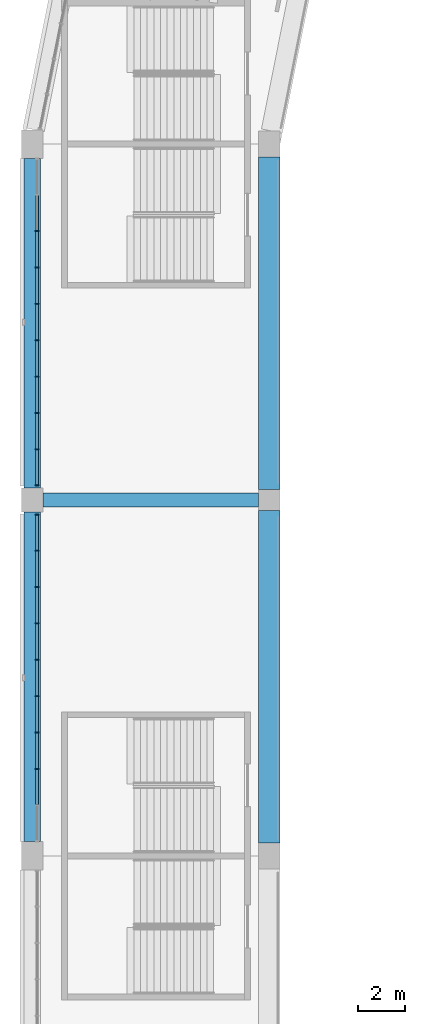
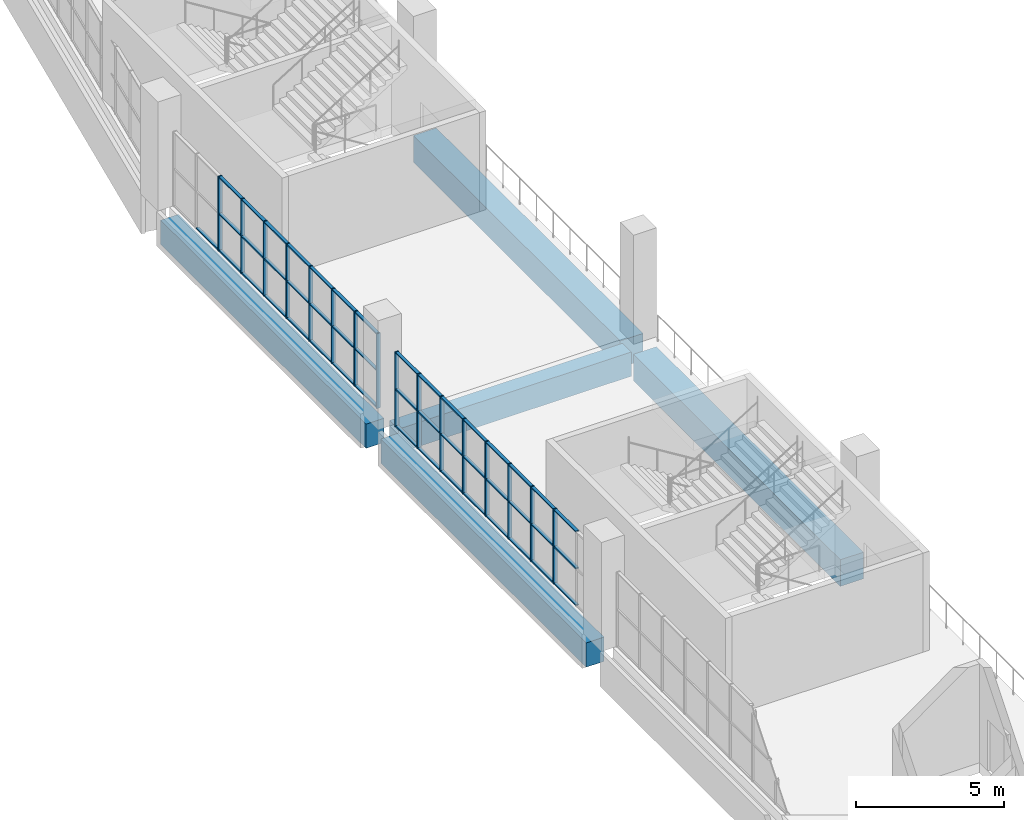
# One storey, part 27 of 177: 62 members, 5 beams, 2 elements without a shape of their own.
"""IFC4 building model written with IfcOpenShell, lengths in metres."""

from ifc_helpers import new_model, si_unit, direction, frame, origin, origin_2d, place, context, subcontext, project, spatial, rectangle, extrude, material, material_profile, profile_set, type_object, element, aggregate, save


model = new_model("IFC4")

# Units and contexts
model_context = context("Model", 3, precision=1e-05, world=origin(), true_north=direction((0.0, 1.0)))
body_context = subcontext(model_context, "Body", "Model", "MODEL_VIEW")
ifc_project = project(units=[si_unit("LENGTHUNIT", "METRE"), si_unit("AREAUNIT", "SQUARE_METRE"), si_unit("VOLUMEUNIT", "CUBIC_METRE"), si_unit("PLANEANGLEUNIT", "RADIAN"), si_unit("MASSUNIT", "GRAM", prefix="KILO")], contexts=[model_context])

# Site, building, storey
site_placement = place(None, origin())
site = spatial("IfcSite", under=ifc_project, at=site_placement, CompositionType="ELEMENT")
building_placement = place(site_placement, origin())
building = spatial("IfcBuilding", under=site, at=building_placement, Name="Ogive Plaza Stadium", CompositionType="ELEMENT")
storey_placement = place(building_placement, frame((0.0, 0.0, 18.0)))
storey = spatial("IfcBuildingStorey", under=building, at=storey_placement, Name="L04", CompositionType="ELEMENT", Elevation=18.0)

# Curtain wall, members
ifc_material_1 = material(Name="Bronze-anodised aluminium with laminated glass", Category="aluminium")
curtain_wall_type = type_object("IfcCurtainWallType", Name="Lancet curtain wall", PredefinedType="NOTDEFINED", material=ifc_material_1)
curtain_wall_1_placement = place(storey_placement, origin())
curtain_wall_1 = element("IfcCurtainWall", 1, at=curtain_wall_1_placement, inside=storey, type_object=curtain_wall_type, Name="CURTAIN WALL B26 L04", PredefinedType="NOTDEFINED")
ifc_material_2 = material(Name="Bronze-anodised aluminium", Category="aluminium")
ifc_material_profile_1 = material_profile(ifc_material_2, rectangle(XDim=0.14990234375, YDim=0.050048828125, at=origin_2d()), Name="AL 150x50")
ifc_profile_set_1 = profile_set([ifc_material_profile_1], Name="Bronze-anodised aluminium")
member_type_1 = type_object("IfcMemberType", Name="Curtain wall mullion 50x150", PredefinedType="MULLION", material=ifc_profile_set_1)
member_1_placement = place(storey_placement, frame((-83.800048828125, 26.166748046875, 0.0), z_axis=(0.0, 0.0, 1.0), x_axis=(-1.0, 0.0, 0.0)))
member_1 = element("IfcMember", 2, at=member_1_placement, type_object=member_type_1, Name="CW-B26-L04 mullion 3", PredefinedType="MULLION", context=body_context, shape_type="SweptSolid", body=[
    extrude(rectangle(XDim=0.14990234375, YDim=0.050048828125, at=origin_2d()), origin(), (0.0, 0.0, 1.0), 3.090087890625),
])
member_2_placement = place(storey_placement, frame((-83.800048828125, 27.699951171875, 0.0), z_axis=(0.0, 0.0, 1.0), x_axis=(-1.0, 0.0, 0.0)))
member_2 = element("IfcMember", 3, at=member_2_placement, type_object=member_type_1, Name="CW-B26-L04 mullion 4", PredefinedType="MULLION", context=body_context, shape_type="SweptSolid", body=[
    extrude(rectangle(XDim=0.14990234375, YDim=0.050048828125, at=origin_2d()), origin(), (0.0, 0.0, 1.0), 3.090087890625),
])
member_3_placement = place(storey_placement, frame((-83.800048828125, 29.2333984375, 0.0), z_axis=(0.0, 0.0, 1.0), x_axis=(-1.0, 0.0, 0.0)))
member_3 = element("IfcMember", 4, at=member_3_placement, type_object=member_type_1, Name="CW-B26-L04 mullion 5", PredefinedType="MULLION", context=body_context, shape_type="SweptSolid", body=[
    extrude(rectangle(XDim=0.14990234375, YDim=0.050048828125, at=origin_2d()), origin(), (0.0, 0.0, 1.0), 3.090087890625),
])
member_4_placement = place(storey_placement, frame((-83.800048828125, 30.7666015625, 0.0), z_axis=(0.0, 0.0, 1.0), x_axis=(-1.0, 0.0, 0.0)))
member_4 = element("IfcMember", 5, at=member_4_placement, type_object=member_type_1, Name="CW-B26-L04 mullion 6", PredefinedType="MULLION", context=body_context, shape_type="SweptSolid", body=[
    extrude(rectangle(XDim=0.14990234375, YDim=0.050048828125, at=origin_2d()), origin(), (0.0, 0.0, 1.0), 3.090087890625),
])
member_5_placement = place(storey_placement, frame((-83.800048828125, 32.300048828125, 0.0), z_axis=(0.0, 0.0, 1.0), x_axis=(-1.0, 0.0, 0.0)))
member_5 = element("IfcMember", 6, at=member_5_placement, type_object=member_type_1, Name="CW-B26-L04 mullion 7", PredefinedType="MULLION", context=body_context, shape_type="SweptSolid", body=[
    extrude(rectangle(XDim=0.14990234375, YDim=0.050048828125, at=origin_2d()), origin(), (0.0, 0.0, 1.0), 3.090087890625),
])
member_6_placement = place(storey_placement, frame((-83.800048828125, 33.833251953125, 0.0), z_axis=(0.0, 0.0, 1.0), x_axis=(-1.0, 0.0, 0.0)))
member_6 = element("IfcMember", 7, at=member_6_placement, type_object=member_type_1, Name="CW-B26-L04 mullion 8", PredefinedType="MULLION", context=body_context, shape_type="SweptSolid", body=[
    extrude(rectangle(XDim=0.14990234375, YDim=0.050048828125, at=origin_2d()), origin(), (0.0, 0.0, 1.0), 3.090087890625),
])
member_7_placement = place(storey_placement, frame((-83.800048828125, 35.36669921875, 0.0), z_axis=(0.0, 0.0, 1.0), x_axis=(-1.0, 0.0, 0.0)))
member_7 = element("IfcMember", 8, at=member_7_placement, type_object=member_type_1, Name="CW-B26-L04 mullion 9", PredefinedType="MULLION", context=body_context, shape_type="SweptSolid", body=[
    extrude(rectangle(XDim=0.14990234375, YDim=0.050048828125, at=origin_2d()), origin(), (0.0, 0.0, 1.0), 3.090087890625),
])
member_8_placement = place(storey_placement, frame((-83.800048828125, 36.875, 0.0), z_axis=(0.0, 0.0, 1.0), x_axis=(-1.0, 0.0, 0.0)))
member_8 = element("IfcMember", 9, at=member_8_placement, type_object=member_type_1, Name="CW-B26-L04 mullion 10", PredefinedType="MULLION", context=body_context, shape_type="SweptSolid", body=[
    extrude(rectangle(XDim=0.14990234375, YDim=0.050048828125, at=origin_2d()), origin(), (0.0, 0.0, 1.0), 3.090087890625),
])

curtain_wall_2_placement = place(storey_placement, origin())
curtain_wall_2 = element("IfcCurtainWall", 10, at=curtain_wall_2_placement, inside=storey, type_object=curtain_wall_type, Name="CURTAIN WALL B27 L04", PredefinedType="NOTDEFINED")
member_9_placement = place(storey_placement, frame((-83.800048828125, 38.125, 0.0), z_axis=(0.0, 0.0, 1.0), x_axis=(-1.0, 0.0, 0.0)))
member_9 = element("IfcMember", 11, at=member_9_placement, type_object=member_type_1, Name="CW-B27-L04 mullion 1", PredefinedType="MULLION", context=body_context, shape_type="SweptSolid", body=[
    extrude(rectangle(XDim=0.14990234375, YDim=0.050048828125, at=origin_2d()), origin(), (0.0, 0.0, 1.0), 3.090087890625),
])
member_10_placement = place(storey_placement, frame((-83.800048828125, 39.63330078125, 0.0), z_axis=(0.0, 0.0, 1.0), x_axis=(-1.0, 0.0, 0.0)))
member_10 = element("IfcMember", 12, at=member_10_placement, type_object=member_type_1, Name="CW-B27-L04 mullion 2", PredefinedType="MULLION", context=body_context, shape_type="SweptSolid", body=[
    extrude(rectangle(XDim=0.14990234375, YDim=0.050048828125, at=origin_2d()), origin(), (0.0, 0.0, 1.0), 3.090087890625),
])
member_11_placement = place(storey_placement, frame((-83.800048828125, 41.166748046875, 0.0), z_axis=(0.0, 0.0, 1.0), x_axis=(-1.0, 0.0, 0.0)))
member_11 = element("IfcMember", 13, at=member_11_placement, type_object=member_type_1, Name="CW-B27-L04 mullion 3", PredefinedType="MULLION", context=body_context, shape_type="SweptSolid", body=[
    extrude(rectangle(XDim=0.14990234375, YDim=0.050048828125, at=origin_2d()), origin(), (0.0, 0.0, 1.0), 3.090087890625),
])
member_12_placement = place(storey_placement, frame((-83.800048828125, 42.699951171875, 0.0), z_axis=(0.0, 0.0, 1.0), x_axis=(-1.0, 0.0, 0.0)))
member_12 = element("IfcMember", 14, at=member_12_placement, type_object=member_type_1, Name="CW-B27-L04 mullion 4", PredefinedType="MULLION", context=body_context, shape_type="SweptSolid", body=[
    extrude(rectangle(XDim=0.14990234375, YDim=0.050048828125, at=origin_2d()), origin(), (0.0, 0.0, 1.0), 3.090087890625),
])
member_13_placement = place(storey_placement, frame((-83.800048828125, 44.2333984375, 0.0), z_axis=(0.0, 0.0, 1.0), x_axis=(-1.0, 0.0, 0.0)))
member_13 = element("IfcMember", 15, at=member_13_placement, type_object=member_type_1, Name="CW-B27-L04 mullion 5", PredefinedType="MULLION", context=body_context, shape_type="SweptSolid", body=[
    extrude(rectangle(XDim=0.14990234375, YDim=0.050048828125, at=origin_2d()), origin(), (0.0, 0.0, 1.0), 3.090087890625),
])
member_14_placement = place(storey_placement, frame((-83.800048828125, 45.7666015625, 0.0), z_axis=(0.0, 0.0, 1.0), x_axis=(-1.0, 0.0, 0.0)))
member_14 = element("IfcMember", 16, at=member_14_placement, type_object=member_type_1, Name="CW-B27-L04 mullion 6", PredefinedType="MULLION", context=body_context, shape_type="SweptSolid", body=[
    extrude(rectangle(XDim=0.14990234375, YDim=0.050048828125, at=origin_2d()), origin(), (0.0, 0.0, 1.0), 3.090087890625),
])
member_15_placement = place(storey_placement, frame((-83.800048828125, 47.300048828125, 0.0), z_axis=(0.0, 0.0, 1.0), x_axis=(-1.0, 0.0, 0.0)))
member_15 = element("IfcMember", 17, at=member_15_placement, type_object=member_type_1, Name="CW-B27-L04 mullion 7", PredefinedType="MULLION", context=body_context, shape_type="SweptSolid", body=[
    extrude(rectangle(XDim=0.14990234375, YDim=0.050048828125, at=origin_2d()), origin(), (0.0, 0.0, 1.0), 3.090087890625),
])
member_16_placement = place(storey_placement, frame((-83.800048828125, 48.833251953125, 0.0), z_axis=(0.0, 0.0, 1.0), x_axis=(-1.0, 0.0, 0.0)))
member_16 = element("IfcMember", 18, at=member_16_placement, type_object=member_type_1, Name="CW-B27-L04 mullion 8", PredefinedType="MULLION", context=body_context, shape_type="SweptSolid", body=[
    extrude(rectangle(XDim=0.14990234375, YDim=0.050048828125, at=origin_2d()), origin(), (0.0, 0.0, 1.0), 3.090087890625),
])

# Member
ifc_material_3 = material(Name="Bronze-anodised aluminium", Category="aluminium")
ifc_material_profile_2 = material_profile(ifc_material_3, rectangle(XDim=0.1201171875, YDim=0.050048828125, at=origin_2d()), Name="AL 120x50")
ifc_profile_set_2 = profile_set([ifc_material_profile_2], Name="Bronze-anodised aluminium")
member_type_2 = type_object("IfcMemberType", Name="Curtain wall transom 50x120", PredefinedType="USERDEFINED", material=ifc_profile_set_2)
member_17_placement = place(storey_placement, frame((-83.800048828125, 24.658447265625, 0.02490234375), z_axis=(0.0, 1.0, 0.0), x_axis=(-1.0, 0.0, 0.0)))
member_17 = element("IfcMember", 19, at=member_17_placement, type_object=member_type_2, Name="CW-B26-L04 transom 2.1", ObjectType="TRANSOM", PredefinedType="USERDEFINED", context=body_context, shape_type="SweptSolid", body=[
    extrude(rectangle(XDim=0.1201171875, YDim=0.050048828125, at=origin_2d()), origin(), (0.0, 0.0, 1.0), 1.483154296875),
])

member_18_placement = place(storey_placement, frame((-83.800048828125, 24.658447265625, 1.544921875), z_axis=(0.0, 1.0, 0.0), x_axis=(-1.0, 0.0, 0.0)))
member_18 = element("IfcMember", 20, at=member_18_placement, type_object=member_type_2, Name="CW-B26-L04 transom 2.2", ObjectType="TRANSOM", PredefinedType="USERDEFINED", context=body_context, shape_type="SweptSolid", body=[
    extrude(rectangle(XDim=0.1201171875, YDim=0.050048828125, at=origin_2d()), origin(), (0.0, 0.0, 1.0), 1.483154296875),
])

member_19_placement = place(storey_placement, frame((-83.800048828125, 24.658447265625, 3.06494140625), z_axis=(0.0, 1.0, 0.0), x_axis=(-1.0, 0.0, 0.0)))
member_19 = element("IfcMember", 21, at=member_19_placement, type_object=member_type_2, Name="CW-B26-L04 transom 2.3", ObjectType="TRANSOM", PredefinedType="USERDEFINED", context=body_context, shape_type="SweptSolid", body=[
    extrude(rectangle(XDim=0.1201171875, YDim=0.050048828125, at=origin_2d()), origin(), (0.0, 0.0, 1.0), 1.483154296875),
])

member_20_placement = place(storey_placement, frame((-83.800048828125, 26.191650390625, 0.02490234375), z_axis=(0.0, 1.0, 0.0), x_axis=(-1.0, 0.0, 0.0)))
member_20 = element("IfcMember", 22, at=member_20_placement, type_object=member_type_2, Name="CW-B26-L04 transom 3.1", ObjectType="TRANSOM", PredefinedType="USERDEFINED", context=body_context, shape_type="SweptSolid", body=[
    extrude(rectangle(XDim=0.1201171875, YDim=0.050048828125, at=origin_2d()), origin(), (0.0, 0.0, 1.0), 1.4833984375),
])

member_21_placement = place(storey_placement, frame((-83.800048828125, 26.191650390625, 1.544921875), z_axis=(0.0, 1.0, 0.0), x_axis=(-1.0, 0.0, 0.0)))
member_21 = element("IfcMember", 23, at=member_21_placement, type_object=member_type_2, Name="CW-B26-L04 transom 3.2", ObjectType="TRANSOM", PredefinedType="USERDEFINED", context=body_context, shape_type="SweptSolid", body=[
    extrude(rectangle(XDim=0.1201171875, YDim=0.050048828125, at=origin_2d()), origin(), (0.0, 0.0, 1.0), 1.4833984375),
])

member_22_placement = place(storey_placement, frame((-83.800048828125, 26.191650390625, 3.06494140625), z_axis=(0.0, 1.0, 0.0), x_axis=(-1.0, 0.0, 0.0)))
member_22 = element("IfcMember", 24, at=member_22_placement, type_object=member_type_2, Name="CW-B26-L04 transom 3.3", ObjectType="TRANSOM", PredefinedType="USERDEFINED", context=body_context, shape_type="SweptSolid", body=[
    extrude(rectangle(XDim=0.1201171875, YDim=0.050048828125, at=origin_2d()), origin(), (0.0, 0.0, 1.0), 1.4833984375),
])

member_23_placement = place(storey_placement, frame((-83.800048828125, 27.72509765625, 0.02490234375), z_axis=(0.0, 1.0, 0.0), x_axis=(-1.0, 0.0, 0.0)))
member_23 = element("IfcMember", 25, at=member_23_placement, type_object=member_type_2, Name="CW-B26-L04 transom 4.1", ObjectType="TRANSOM", PredefinedType="USERDEFINED", context=body_context, shape_type="SweptSolid", body=[
    extrude(rectangle(XDim=0.1201171875, YDim=0.050048828125, at=origin_2d()), origin(), (0.0, 0.0, 1.0), 1.483154296875),
])

member_24_placement = place(storey_placement, frame((-83.800048828125, 27.72509765625, 1.544921875), z_axis=(0.0, 1.0, 0.0), x_axis=(-1.0, 0.0, 0.0)))
member_24 = element("IfcMember", 26, at=member_24_placement, type_object=member_type_2, Name="CW-B26-L04 transom 4.2", ObjectType="TRANSOM", PredefinedType="USERDEFINED", context=body_context, shape_type="SweptSolid", body=[
    extrude(rectangle(XDim=0.1201171875, YDim=0.050048828125, at=origin_2d()), origin(), (0.0, 0.0, 1.0), 1.483154296875),
])

member_25_placement = place(storey_placement, frame((-83.800048828125, 27.72509765625, 3.06494140625), z_axis=(0.0, 1.0, 0.0), x_axis=(-1.0, 0.0, 0.0)))
member_25 = element("IfcMember", 27, at=member_25_placement, type_object=member_type_2, Name="CW-B26-L04 transom 4.3", ObjectType="TRANSOM", PredefinedType="USERDEFINED", context=body_context, shape_type="SweptSolid", body=[
    extrude(rectangle(XDim=0.1201171875, YDim=0.050048828125, at=origin_2d()), origin(), (0.0, 0.0, 1.0), 1.483154296875),
])

member_26_placement = place(storey_placement, frame((-83.800048828125, 29.25830078125, 0.02490234375), z_axis=(0.0, 1.0, 0.0), x_axis=(-1.0, 0.0, 0.0)))
member_26 = element("IfcMember", 28, at=member_26_placement, type_object=member_type_2, Name="CW-B26-L04 transom 5.1", ObjectType="TRANSOM", PredefinedType="USERDEFINED", context=body_context, shape_type="SweptSolid", body=[
    extrude(rectangle(XDim=0.1201171875, YDim=0.050048828125, at=origin_2d()), origin(), (0.0, 0.0, 1.0), 1.4833984375),
])

member_27_placement = place(storey_placement, frame((-83.800048828125, 29.25830078125, 1.544921875), z_axis=(0.0, 1.0, 0.0), x_axis=(-1.0, 0.0, 0.0)))
member_27 = element("IfcMember", 29, at=member_27_placement, type_object=member_type_2, Name="CW-B26-L04 transom 5.2", ObjectType="TRANSOM", PredefinedType="USERDEFINED", context=body_context, shape_type="SweptSolid", body=[
    extrude(rectangle(XDim=0.1201171875, YDim=0.050048828125, at=origin_2d()), origin(), (0.0, 0.0, 1.0), 1.4833984375),
])

member_28_placement = place(storey_placement, frame((-83.800048828125, 29.25830078125, 3.06494140625), z_axis=(0.0, 1.0, 0.0), x_axis=(-1.0, 0.0, 0.0)))
member_28 = element("IfcMember", 30, at=member_28_placement, type_object=member_type_2, Name="CW-B26-L04 transom 5.3", ObjectType="TRANSOM", PredefinedType="USERDEFINED", context=body_context, shape_type="SweptSolid", body=[
    extrude(rectangle(XDim=0.1201171875, YDim=0.050048828125, at=origin_2d()), origin(), (0.0, 0.0, 1.0), 1.4833984375),
])

member_29_placement = place(storey_placement, frame((-83.800048828125, 30.791748046875, 0.02490234375), z_axis=(0.0, 1.0, 0.0), x_axis=(-1.0, 0.0, 0.0)))
member_29 = element("IfcMember", 31, at=member_29_placement, type_object=member_type_2, Name="CW-B26-L04 transom 6.1", ObjectType="TRANSOM", PredefinedType="USERDEFINED", context=body_context, shape_type="SweptSolid", body=[
    extrude(rectangle(XDim=0.1201171875, YDim=0.050048828125, at=origin_2d()), origin(), (0.0, 0.0, 1.0), 1.483154296875),
])

member_30_placement = place(storey_placement, frame((-83.800048828125, 30.791748046875, 1.544921875), z_axis=(0.0, 1.0, 0.0), x_axis=(-1.0, 0.0, 0.0)))
member_30 = element("IfcMember", 32, at=member_30_placement, type_object=member_type_2, Name="CW-B26-L04 transom 6.2", ObjectType="TRANSOM", PredefinedType="USERDEFINED", context=body_context, shape_type="SweptSolid", body=[
    extrude(rectangle(XDim=0.1201171875, YDim=0.050048828125, at=origin_2d()), origin(), (0.0, 0.0, 1.0), 1.483154296875),
])

member_31_placement = place(storey_placement, frame((-83.800048828125, 30.791748046875, 3.06494140625), z_axis=(0.0, 1.0, 0.0), x_axis=(-1.0, 0.0, 0.0)))
member_31 = element("IfcMember", 33, at=member_31_placement, type_object=member_type_2, Name="CW-B26-L04 transom 6.3", ObjectType="TRANSOM", PredefinedType="USERDEFINED", context=body_context, shape_type="SweptSolid", body=[
    extrude(rectangle(XDim=0.1201171875, YDim=0.050048828125, at=origin_2d()), origin(), (0.0, 0.0, 1.0), 1.483154296875),
])

member_32_placement = place(storey_placement, frame((-83.800048828125, 32.324951171875, 0.02490234375), z_axis=(0.0, 1.0, 0.0), x_axis=(-1.0, 0.0, 0.0)))
member_32 = element("IfcMember", 34, at=member_32_placement, type_object=member_type_2, Name="CW-B26-L04 transom 7.1", ObjectType="TRANSOM", PredefinedType="USERDEFINED", context=body_context, shape_type="SweptSolid", body=[
    extrude(rectangle(XDim=0.1201171875, YDim=0.050048828125, at=origin_2d()), origin(), (0.0, 0.0, 1.0), 1.4833984375),
])

member_33_placement = place(storey_placement, frame((-83.800048828125, 32.324951171875, 1.544921875), z_axis=(0.0, 1.0, 0.0), x_axis=(-1.0, 0.0, 0.0)))
member_33 = element("IfcMember", 35, at=member_33_placement, type_object=member_type_2, Name="CW-B26-L04 transom 7.2", ObjectType="TRANSOM", PredefinedType="USERDEFINED", context=body_context, shape_type="SweptSolid", body=[
    extrude(rectangle(XDim=0.1201171875, YDim=0.050048828125, at=origin_2d()), origin(), (0.0, 0.0, 1.0), 1.4833984375),
])

member_34_placement = place(storey_placement, frame((-83.800048828125, 32.324951171875, 3.06494140625), z_axis=(0.0, 1.0, 0.0), x_axis=(-1.0, 0.0, 0.0)))
member_34 = element("IfcMember", 36, at=member_34_placement, type_object=member_type_2, Name="CW-B26-L04 transom 7.3", ObjectType="TRANSOM", PredefinedType="USERDEFINED", context=body_context, shape_type="SweptSolid", body=[
    extrude(rectangle(XDim=0.1201171875, YDim=0.050048828125, at=origin_2d()), origin(), (0.0, 0.0, 1.0), 1.4833984375),
])

member_35_placement = place(storey_placement, frame((-83.800048828125, 33.8583984375, 0.02490234375), z_axis=(0.0, 1.0, 0.0), x_axis=(-1.0, 0.0, 0.0)))
member_35 = element("IfcMember", 37, at=member_35_placement, type_object=member_type_2, Name="CW-B26-L04 transom 8.1", ObjectType="TRANSOM", PredefinedType="USERDEFINED", context=body_context, shape_type="SweptSolid", body=[
    extrude(rectangle(XDim=0.1201171875, YDim=0.050048828125, at=origin_2d()), origin(), (0.0, 0.0, 1.0), 1.483154296875),
])

member_36_placement = place(storey_placement, frame((-83.800048828125, 33.8583984375, 1.544921875), z_axis=(0.0, 1.0, 0.0), x_axis=(-1.0, 0.0, 0.0)))
member_36 = element("IfcMember", 38, at=member_36_placement, type_object=member_type_2, Name="CW-B26-L04 transom 8.2", ObjectType="TRANSOM", PredefinedType="USERDEFINED", context=body_context, shape_type="SweptSolid", body=[
    extrude(rectangle(XDim=0.1201171875, YDim=0.050048828125, at=origin_2d()), origin(), (0.0, 0.0, 1.0), 1.483154296875),
])

member_37_placement = place(storey_placement, frame((-83.800048828125, 33.8583984375, 3.06494140625), z_axis=(0.0, 1.0, 0.0), x_axis=(-1.0, 0.0, 0.0)))
member_37 = element("IfcMember", 39, at=member_37_placement, type_object=member_type_2, Name="CW-B26-L04 transom 8.3", ObjectType="TRANSOM", PredefinedType="USERDEFINED", context=body_context, shape_type="SweptSolid", body=[
    extrude(rectangle(XDim=0.1201171875, YDim=0.050048828125, at=origin_2d()), origin(), (0.0, 0.0, 1.0), 1.483154296875),
])

member_38_placement = place(storey_placement, frame((-83.800048828125, 35.3916015625, 0.02490234375), z_axis=(0.0, 1.0, 0.0), x_axis=(-1.0, 0.0, 0.0)))
member_38 = element("IfcMember", 40, at=member_38_placement, type_object=member_type_2, Name="CW-B26-L04 transom 9.1", ObjectType="TRANSOM", PredefinedType="USERDEFINED", context=body_context, shape_type="SweptSolid", body=[
    extrude(rectangle(XDim=0.1201171875, YDim=0.050048828125, at=origin_2d()), origin(), (0.0, 0.0, 1.0), 1.45849609375),
])

member_39_placement = place(storey_placement, frame((-83.800048828125, 35.3916015625, 1.544921875), z_axis=(0.0, 1.0, 0.0), x_axis=(-1.0, 0.0, 0.0)))
member_39 = element("IfcMember", 41, at=member_39_placement, type_object=member_type_2, Name="CW-B26-L04 transom 9.2", ObjectType="TRANSOM", PredefinedType="USERDEFINED", context=body_context, shape_type="SweptSolid", body=[
    extrude(rectangle(XDim=0.1201171875, YDim=0.050048828125, at=origin_2d()), origin(), (0.0, 0.0, 1.0), 1.45849609375),
])

member_40_placement = place(storey_placement, frame((-83.800048828125, 35.3916015625, 3.06494140625), z_axis=(0.0, 1.0, 0.0), x_axis=(-1.0, 0.0, 0.0)))
member_40 = element("IfcMember", 42, at=member_40_placement, type_object=member_type_2, Name="CW-B26-L04 transom 9.3", ObjectType="TRANSOM", PredefinedType="USERDEFINED", context=body_context, shape_type="SweptSolid", body=[
    extrude(rectangle(XDim=0.1201171875, YDim=0.050048828125, at=origin_2d()), origin(), (0.0, 0.0, 1.0), 1.45849609375),
])

aggregate(curtain_wall_1, [member_1, member_2, member_3, member_4, member_5, member_6, member_7, member_8, member_17, member_18, member_19, member_20, member_21, member_22, member_23, member_24, member_25, member_26, member_27, member_28, member_29, member_30, member_31, member_32, member_33, member_34, member_35, member_36, member_37, member_38, member_39, member_40])

member_41_placement = place(storey_placement, frame((-83.800048828125, 38.14990234375, 0.02490234375), z_axis=(0.0, 1.0, 0.0), x_axis=(-1.0, 0.0, 0.0)))
member_41 = element("IfcMember", 43, at=member_41_placement, type_object=member_type_2, Name="CW-B27-L04 transom 1.1", ObjectType="TRANSOM", PredefinedType="USERDEFINED", context=body_context, shape_type="SweptSolid", body=[
    extrude(rectangle(XDim=0.1201171875, YDim=0.050048828125, at=origin_2d()), origin(), (0.0, 0.0, 1.0), 1.45849609375),
])

member_42_placement = place(storey_placement, frame((-83.800048828125, 38.14990234375, 1.544921875), z_axis=(0.0, 1.0, 0.0), x_axis=(-1.0, 0.0, 0.0)))
member_42 = element("IfcMember", 44, at=member_42_placement, type_object=member_type_2, Name="CW-B27-L04 transom 1.2", ObjectType="TRANSOM", PredefinedType="USERDEFINED", context=body_context, shape_type="SweptSolid", body=[
    extrude(rectangle(XDim=0.1201171875, YDim=0.050048828125, at=origin_2d()), origin(), (0.0, 0.0, 1.0), 1.45849609375),
])

member_43_placement = place(storey_placement, frame((-83.800048828125, 38.14990234375, 3.06494140625), z_axis=(0.0, 1.0, 0.0), x_axis=(-1.0, 0.0, 0.0)))
member_43 = element("IfcMember", 45, at=member_43_placement, type_object=member_type_2, Name="CW-B27-L04 transom 1.3", ObjectType="TRANSOM", PredefinedType="USERDEFINED", context=body_context, shape_type="SweptSolid", body=[
    extrude(rectangle(XDim=0.1201171875, YDim=0.050048828125, at=origin_2d()), origin(), (0.0, 0.0, 1.0), 1.45849609375),
])

member_44_placement = place(storey_placement, frame((-83.800048828125, 39.658447265625, 0.02490234375), z_axis=(0.0, 1.0, 0.0), x_axis=(-1.0, 0.0, 0.0)))
member_44 = element("IfcMember", 46, at=member_44_placement, type_object=member_type_2, Name="CW-B27-L04 transom 2.1", ObjectType="TRANSOM", PredefinedType="USERDEFINED", context=body_context, shape_type="SweptSolid", body=[
    extrude(rectangle(XDim=0.1201171875, YDim=0.050048828125, at=origin_2d()), origin(), (0.0, 0.0, 1.0), 1.483154296875),
])

member_45_placement = place(storey_placement, frame((-83.800048828125, 39.658447265625, 1.544921875), z_axis=(0.0, 1.0, 0.0), x_axis=(-1.0, 0.0, 0.0)))
member_45 = element("IfcMember", 47, at=member_45_placement, type_object=member_type_2, Name="CW-B27-L04 transom 2.2", ObjectType="TRANSOM", PredefinedType="USERDEFINED", context=body_context, shape_type="SweptSolid", body=[
    extrude(rectangle(XDim=0.1201171875, YDim=0.050048828125, at=origin_2d()), origin(), (0.0, 0.0, 1.0), 1.483154296875),
])

member_46_placement = place(storey_placement, frame((-83.800048828125, 39.658447265625, 3.06494140625), z_axis=(0.0, 1.0, 0.0), x_axis=(-1.0, 0.0, 0.0)))
member_46 = element("IfcMember", 48, at=member_46_placement, type_object=member_type_2, Name="CW-B27-L04 transom 2.3", ObjectType="TRANSOM", PredefinedType="USERDEFINED", context=body_context, shape_type="SweptSolid", body=[
    extrude(rectangle(XDim=0.1201171875, YDim=0.050048828125, at=origin_2d()), origin(), (0.0, 0.0, 1.0), 1.483154296875),
])

member_47_placement = place(storey_placement, frame((-83.800048828125, 41.191650390625, 0.02490234375), z_axis=(0.0, 1.0, 0.0), x_axis=(-1.0, 0.0, 0.0)))
member_47 = element("IfcMember", 49, at=member_47_placement, type_object=member_type_2, Name="CW-B27-L04 transom 3.1", ObjectType="TRANSOM", PredefinedType="USERDEFINED", context=body_context, shape_type="SweptSolid", body=[
    extrude(rectangle(XDim=0.1201171875, YDim=0.050048828125, at=origin_2d()), origin(), (0.0, 0.0, 1.0), 1.4833984375),
])

member_48_placement = place(storey_placement, frame((-83.800048828125, 41.191650390625, 1.544921875), z_axis=(0.0, 1.0, 0.0), x_axis=(-1.0, 0.0, 0.0)))
member_48 = element("IfcMember", 50, at=member_48_placement, type_object=member_type_2, Name="CW-B27-L04 transom 3.2", ObjectType="TRANSOM", PredefinedType="USERDEFINED", context=body_context, shape_type="SweptSolid", body=[
    extrude(rectangle(XDim=0.1201171875, YDim=0.050048828125, at=origin_2d()), origin(), (0.0, 0.0, 1.0), 1.4833984375),
])

member_49_placement = place(storey_placement, frame((-83.800048828125, 41.191650390625, 3.06494140625), z_axis=(0.0, 1.0, 0.0), x_axis=(-1.0, 0.0, 0.0)))
member_49 = element("IfcMember", 51, at=member_49_placement, type_object=member_type_2, Name="CW-B27-L04 transom 3.3", ObjectType="TRANSOM", PredefinedType="USERDEFINED", context=body_context, shape_type="SweptSolid", body=[
    extrude(rectangle(XDim=0.1201171875, YDim=0.050048828125, at=origin_2d()), origin(), (0.0, 0.0, 1.0), 1.4833984375),
])

member_50_placement = place(storey_placement, frame((-83.800048828125, 42.72509765625, 0.02490234375), z_axis=(0.0, 1.0, 0.0), x_axis=(-1.0, 0.0, 0.0)))
member_50 = element("IfcMember", 52, at=member_50_placement, type_object=member_type_2, Name="CW-B27-L04 transom 4.1", ObjectType="TRANSOM", PredefinedType="USERDEFINED", context=body_context, shape_type="SweptSolid", body=[
    extrude(rectangle(XDim=0.1201171875, YDim=0.050048828125, at=origin_2d()), origin(), (0.0, 0.0, 1.0), 1.483154296875),
])

member_51_placement = place(storey_placement, frame((-83.800048828125, 42.72509765625, 1.544921875), z_axis=(0.0, 1.0, 0.0), x_axis=(-1.0, 0.0, 0.0)))
member_51 = element("IfcMember", 53, at=member_51_placement, type_object=member_type_2, Name="CW-B27-L04 transom 4.2", ObjectType="TRANSOM", PredefinedType="USERDEFINED", context=body_context, shape_type="SweptSolid", body=[
    extrude(rectangle(XDim=0.1201171875, YDim=0.050048828125, at=origin_2d()), origin(), (0.0, 0.0, 1.0), 1.483154296875),
])

member_52_placement = place(storey_placement, frame((-83.800048828125, 42.72509765625, 3.06494140625), z_axis=(0.0, 1.0, 0.0), x_axis=(-1.0, 0.0, 0.0)))
member_52 = element("IfcMember", 54, at=member_52_placement, type_object=member_type_2, Name="CW-B27-L04 transom 4.3", ObjectType="TRANSOM", PredefinedType="USERDEFINED", context=body_context, shape_type="SweptSolid", body=[
    extrude(rectangle(XDim=0.1201171875, YDim=0.050048828125, at=origin_2d()), origin(), (0.0, 0.0, 1.0), 1.483154296875),
])

member_53_placement = place(storey_placement, frame((-83.800048828125, 44.25830078125, 0.02490234375), z_axis=(0.0, 1.0, 0.0), x_axis=(-1.0, 0.0, 0.0)))
member_53 = element("IfcMember", 55, at=member_53_placement, type_object=member_type_2, Name="CW-B27-L04 transom 5.1", ObjectType="TRANSOM", PredefinedType="USERDEFINED", context=body_context, shape_type="SweptSolid", body=[
    extrude(rectangle(XDim=0.1201171875, YDim=0.050048828125, at=origin_2d()), origin(), (0.0, 0.0, 1.0), 1.4833984375),
])

member_54_placement = place(storey_placement, frame((-83.800048828125, 44.25830078125, 1.544921875), z_axis=(0.0, 1.0, 0.0), x_axis=(-1.0, 0.0, 0.0)))
member_54 = element("IfcMember", 56, at=member_54_placement, type_object=member_type_2, Name="CW-B27-L04 transom 5.2", ObjectType="TRANSOM", PredefinedType="USERDEFINED", context=body_context, shape_type="SweptSolid", body=[
    extrude(rectangle(XDim=0.1201171875, YDim=0.050048828125, at=origin_2d()), origin(), (0.0, 0.0, 1.0), 1.4833984375),
])

member_55_placement = place(storey_placement, frame((-83.800048828125, 44.25830078125, 3.06494140625), z_axis=(0.0, 1.0, 0.0), x_axis=(-1.0, 0.0, 0.0)))
member_55 = element("IfcMember", 57, at=member_55_placement, type_object=member_type_2, Name="CW-B27-L04 transom 5.3", ObjectType="TRANSOM", PredefinedType="USERDEFINED", context=body_context, shape_type="SweptSolid", body=[
    extrude(rectangle(XDim=0.1201171875, YDim=0.050048828125, at=origin_2d()), origin(), (0.0, 0.0, 1.0), 1.4833984375),
])

member_56_placement = place(storey_placement, frame((-83.800048828125, 45.791748046875, 0.02490234375), z_axis=(0.0, 1.0, 0.0), x_axis=(-1.0, 0.0, 0.0)))
member_56 = element("IfcMember", 58, at=member_56_placement, type_object=member_type_2, Name="CW-B27-L04 transom 6.1", ObjectType="TRANSOM", PredefinedType="USERDEFINED", context=body_context, shape_type="SweptSolid", body=[
    extrude(rectangle(XDim=0.1201171875, YDim=0.050048828125, at=origin_2d()), origin(), (0.0, 0.0, 1.0), 1.483154296875),
])

member_57_placement = place(storey_placement, frame((-83.800048828125, 45.791748046875, 1.544921875), z_axis=(0.0, 1.0, 0.0), x_axis=(-1.0, 0.0, 0.0)))
member_57 = element("IfcMember", 59, at=member_57_placement, type_object=member_type_2, Name="CW-B27-L04 transom 6.2", ObjectType="TRANSOM", PredefinedType="USERDEFINED", context=body_context, shape_type="SweptSolid", body=[
    extrude(rectangle(XDim=0.1201171875, YDim=0.050048828125, at=origin_2d()), origin(), (0.0, 0.0, 1.0), 1.483154296875),
])

member_58_placement = place(storey_placement, frame((-83.800048828125, 45.791748046875, 3.06494140625), z_axis=(0.0, 1.0, 0.0), x_axis=(-1.0, 0.0, 0.0)))
member_58 = element("IfcMember", 60, at=member_58_placement, type_object=member_type_2, Name="CW-B27-L04 transom 6.3", ObjectType="TRANSOM", PredefinedType="USERDEFINED", context=body_context, shape_type="SweptSolid", body=[
    extrude(rectangle(XDim=0.1201171875, YDim=0.050048828125, at=origin_2d()), origin(), (0.0, 0.0, 1.0), 1.483154296875),
])

member_59_placement = place(storey_placement, frame((-83.800048828125, 47.324951171875, 0.02490234375), z_axis=(0.0, 1.0, 0.0), x_axis=(-1.0, 0.0, 0.0)))
member_59 = element("IfcMember", 61, at=member_59_placement, type_object=member_type_2, Name="CW-B27-L04 transom 7.1", ObjectType="TRANSOM", PredefinedType="USERDEFINED", context=body_context, shape_type="SweptSolid", body=[
    extrude(rectangle(XDim=0.1201171875, YDim=0.050048828125, at=origin_2d()), origin(), (0.0, 0.0, 1.0), 1.4833984375),
])

member_60_placement = place(storey_placement, frame((-83.800048828125, 47.324951171875, 1.544921875), z_axis=(0.0, 1.0, 0.0), x_axis=(-1.0, 0.0, 0.0)))
member_60 = element("IfcMember", 62, at=member_60_placement, type_object=member_type_2, Name="CW-B27-L04 transom 7.2", ObjectType="TRANSOM", PredefinedType="USERDEFINED", context=body_context, shape_type="SweptSolid", body=[
    extrude(rectangle(XDim=0.1201171875, YDim=0.050048828125, at=origin_2d()), origin(), (0.0, 0.0, 1.0), 1.4833984375),
])

member_61_placement = place(storey_placement, frame((-83.800048828125, 47.324951171875, 3.06494140625), z_axis=(0.0, 1.0, 0.0), x_axis=(-1.0, 0.0, 0.0)))
member_61 = element("IfcMember", 63, at=member_61_placement, type_object=member_type_2, Name="CW-B27-L04 transom 7.3", ObjectType="TRANSOM", PredefinedType="USERDEFINED", context=body_context, shape_type="SweptSolid", body=[
    extrude(rectangle(XDim=0.1201171875, YDim=0.050048828125, at=origin_2d()), origin(), (0.0, 0.0, 1.0), 1.4833984375),
])

member_62_placement = place(storey_placement, frame((-83.800048828125, 48.8583984375, 0.02490234375), z_axis=(0.0, 1.0, 0.0), x_axis=(-1.0, 0.0, 0.0)))
member_62 = element("IfcMember", 64, at=member_62_placement, type_object=member_type_2, Name="CW-B27-L04 transom 8.1", ObjectType="TRANSOM", PredefinedType="USERDEFINED", context=body_context, shape_type="SweptSolid", body=[
    extrude(rectangle(XDim=0.1201171875, YDim=0.050048828125, at=origin_2d()), origin(), (0.0, 0.0, 1.0), 1.483154296875),
])

aggregate(curtain_wall_2, [member_9, member_10, member_11, member_12, member_13, member_14, member_15, member_16, member_41, member_42, member_43, member_44, member_45, member_46, member_47, member_48, member_49, member_50, member_51, member_52, member_53, member_54, member_55, member_56, member_57, member_58, member_59, member_60, member_61, member_62])

# Beams
ifc_material_4 = material(Name="Concrete C40/50", Category="concrete")
ifc_material_profile_3 = material_profile(ifc_material_4, rectangle(XDim=0.60009765625, YDim=1.0, at=origin_2d()), Name="RC 600x1000")
ifc_profile_set_3 = profile_set([ifc_material_profile_3], Name="Concrete C40/50")
beam_type_1 = type_object("IfcBeamType", Name="RC radial beam 600x1000", PredefinedType="BEAM", material=ifc_profile_set_3)
beam_placement = place(storey_placement, frame((-74.449951171875, 37.5, -0.909912109375), z_axis=(-1.0, 0.0, 0.0), x_axis=(0.0, -1.0, 0.0)))
element("IfcBeam", 65, at=beam_placement, inside=storey, type_object=beam_type_1, Name="Radial beam L04 R27 F4F5", PredefinedType="BEAM", context=body_context, shape_type="SweptSolid", body=[
    extrude(rectangle(XDim=0.60009765625, YDim=1.0, at=origin_2d()), origin(), (0.0, 0.0, 1.0), 9.10009765625),
])
ifc_material_5 = material(Name="Concrete C40/50", Category="concrete")
ifc_material_profile_4 = material_profile(ifc_material_5, rectangle(XDim=0.89990234375, YDim=1.10009765625, at=origin_2d()), Name="RC 900x1100")
ifc_profile_set_4 = profile_set([ifc_material_profile_4], Name="Concrete C40/50")
beam_type_2 = type_object("IfcBeamType", Name="RC ring beam 900x1100", PredefinedType="BEAM", material=ifc_profile_set_4)
for number, where, z_axis, x_axis, name in (
    (66, (-74.0, 23.050048828125, -0.9599609375), (0.0, 1.0, 0.0), (-1.0, 0.0, 0.0), "Ring beam F4 L04 B26"),
    (67, (-74.0, 37.949951171875, -0.9599609375), (0.0, 1.0, 0.0), (-1.0, 0.0, 0.0), "Ring beam F4 L04 B27"),
):
    element("IfcBeam", number, at=place(storey_placement, frame(where, z_axis=z_axis, x_axis=x_axis)), inside=storey, type_object=beam_type_2, Name=name, PredefinedType="BEAM", context=body_context, shape_type="SweptSolid", body=[
        extrude(rectangle(XDim=0.89990234375, YDim=1.10009765625, at=origin_2d()), origin(), (0.0, 0.0, 1.0), 14.0),
    ])
ifc_material_6 = material(Name="Concrete C40/50", Category="concrete")
ifc_material_profile_5 = material_profile(ifc_material_6, rectangle(XDim=0.699951171875, YDim=1.0, at=origin_2d()), Name="RC 700x1000")
ifc_profile_set_5 = profile_set([ifc_material_profile_5], Name="Concrete C40/50")
beam_type_3 = type_object("IfcBeamType", Name="RC spandrel beam 700x1000", PredefinedType="SPANDREL", material=ifc_profile_set_5)
for number, where, z_axis, x_axis, name in (
    (68, (-84.0, 23.10009765625, -0.909912109375), (0.0, 1.0, 0.0), (-1.0, 0.0, 0.0), "Ring beam F5 L04 B26"),
    (69, (-84.0, 38.0, -0.909912109375), (0.0, 1.0, 0.0), (-1.0, 0.0, 0.0), "Ring beam F5 L04 B27"),
):
    element("IfcBeam", number, at=place(storey_placement, frame(where, z_axis=z_axis, x_axis=x_axis)), inside=storey, type_object=beam_type_3, Name=name, PredefinedType="SPANDREL", context=body_context, shape_type="SweptSolid", body=[
        extrude(rectangle(XDim=0.699951171875, YDim=1.0, at=origin_2d()), origin(), (0.0, 0.0, 1.0), 13.89990234375),
    ])

save(model, "model.ifc")
